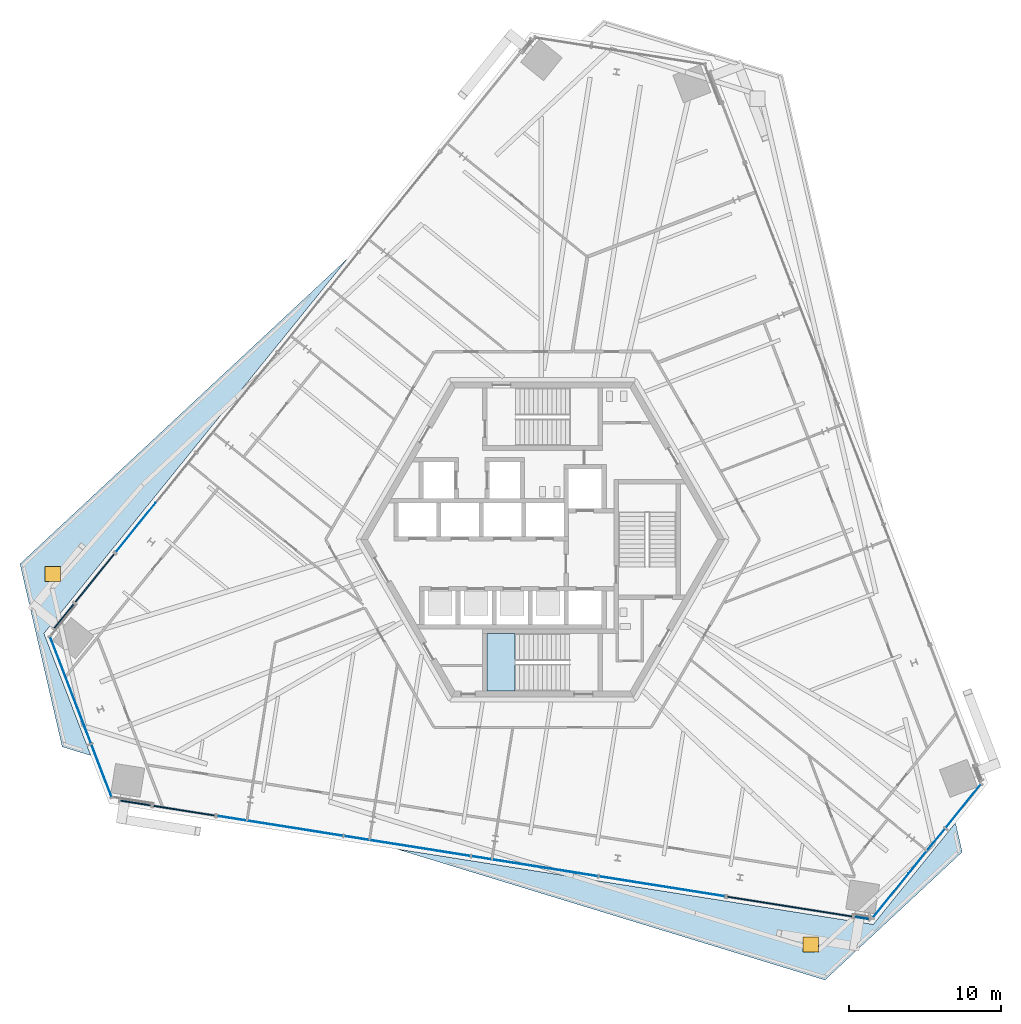
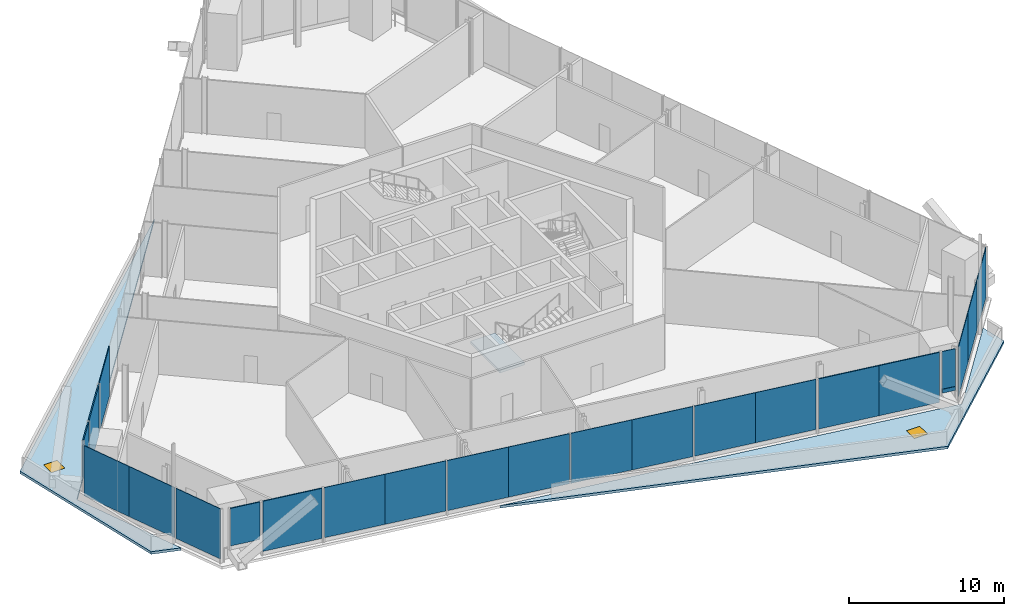
# One storey, part 9 of 22: 22 plates, 3 slabs, 2 doors, 1 member, 2 openings, 11 elements without a shape of their own.
"""IFC4 building model written with IfcOpenShell, lengths in metres."""

from ifc_helpers import new_model, si_unit, direction, frame, origin, origin_2d, place, context, subcontext, project, spatial, polyline, rectangle, outline, extrude, source, transform, mapped, material, layer, layer_set, material_profile, profile_set, type_object, element, fill, aggregate, save


model = new_model("IFC4")

# Units and contexts
model_context = context("Model", 3, precision=1e-05, world=origin(), true_north=direction((0.0, 1.0)))
body_context = subcontext(model_context, "Body", "Model", "MODEL_VIEW")
ifc_project = project(units=[si_unit("LENGTHUNIT", "METRE"), si_unit("AREAUNIT", "SQUARE_METRE"), si_unit("VOLUMEUNIT", "CUBIC_METRE"), si_unit("PLANEANGLEUNIT", "RADIAN"), si_unit("MASSUNIT", "GRAM", prefix="KILO")], contexts=[model_context])

# Site, building, storey
site_placement = place(None, origin())
site = spatial("IfcSite", under=ifc_project, at=site_placement, CompositionType="ELEMENT")
building_placement = place(site_placement, origin())
building = spatial("IfcBuilding", under=site, at=building_placement, Name="Triune Harvest Tower", CompositionType="ELEMENT")
storey_placement = place(building_placement, frame((0.0, 0.0, 138.10009765625)))
storey = spatial("IfcBuildingStorey", under=building, at=storey_placement, Name="L35", CompositionType="ELEMENT", Elevation=138.10009765625)

# Curtain wall, member
ifc_material_1 = material(Name="Aluminium bronze anodised", Category="aluminium")
curtain_wall_type_1 = type_object("IfcCurtainWallType", Name="CW-4 Sky lobby tall glazing wall", PredefinedType="NOTDEFINED", material=ifc_material_1)
curtain_wall_1_placement = place(storey_placement, origin())
curtain_wall_1 = element("IfcCurtainWall", 1, at=curtain_wall_1_placement, inside=storey, type_object=curtain_wall_type_1, Name="CW-4 B4-F5 L35 run 201")
ifc_material_2 = material(Name="Aluminium bronze anodised", Category="aluminium")
ifc_material_profile = material_profile(ifc_material_2, rectangle(XDim=0.10009765625, YDim=0.300048828125, at=origin_2d()), Name="TR-4 transom 100 x 300")
ifc_profile_set = profile_set([ifc_material_profile], Name="Aluminium bronze anodised")
member_type = type_object("IfcMemberType", Name="TR-4 transom 100 x 300", PredefinedType="USERDEFINED", material=ifc_profile_set)
shared_shape_1 = source(origin(), body_context, "Body", "SweptSolid", [
    extrude(rectangle(XDim=0.10009765625, YDim=0.300048828125, at=origin_2d()), origin(), (0.0, 0.0, 1.0), 0.916748046875),
])
member_placement = place(storey_placement, frame((20.591796875, -24.878173828125, 1.135009765625), z_axis=(0.987665614188, -0.156577886531, 0.0), x_axis=(0.156577886531, 0.987665614188, 0.0)))
member = element("IfcMember", 2, at=member_placement, type_object=member_type, Name="CW-4 transom B4-F5 201.1", ObjectType="TRANSOM", PredefinedType="USERDEFINED", context=body_context, shape_type="MappedRepresentation", body=[
    mapped(shared_shape_1, transform((0.0, 0.0, 0.0), scale=1.0)),
])

# Slab, opening, door
ifc_material_3 = material(Name="Concrete 40 MPa", Category="concrete")
ifc_layer_1 = layer(ifc_material_3, 0.199951171875)
ifc_layer_set_1 = layer_set([ifc_layer_1], Name="Concrete 40 MPa")
slab_type_1 = type_object("IfcSlabType", Name="WR-2 Wedge roof slab 200", PredefinedType="ROOF", material=ifc_layer_set_1)
slab_1_placement = place(storey_placement, frame((0.0, 0.0, -0.2001953125)))
slab_1 = element("IfcSlab", 3, at=slab_1_placement, inside=storey, type_object=slab_type_1, Name="Wedge roof slab L34 2", PredefinedType="ROOF", context=body_context, shape_type="SweptSolid", body=[
    extrude(outline(polyline([(27.666748046875, -20.59765625), (27.22314453125, -18.675537109375), (21.79931640625, -25.37353515625), (-9.66015625, -20.390869140625), (18.617431640625, -29.0361328125), (27.666748046875, -20.59765625)])), origin(), (0.0, 0.0, 1.0), 0.2001953125),
])
opening_1_placement = place(slab_1_placement, frame((17.68017578125, -26.69921875, 0.0)))
opening_1 = element("IfcOpeningElement", 4, at=opening_1_placement, cuts=slab_1, Name="Opening RH-L34.1", PredefinedType="OPENING", context=body_context, shape_type="SweptSolid", body=[
    extrude(rectangle(XDim=1.0, YDim=1.0, at=origin_2d()), origin(), (0.0, 0.0, 1.0), 0.2001953125),
])
ifc_material_4 = material(Name="Aluminium bronze anodised", Category="aluminium")
door_type = type_object("IfcDoorType", Name="RH-1 roof hatch 1000 x 1000", OperationType="SINGLE_SWING_LEFT", PredefinedType="TRAPDOOR", material=ifc_material_4)
door_1_placement = place(opening_1_placement, frame((0.0, 0.0, 0.150146484375)))
door_1 = element("IfcDoor", 5, at=door_1_placement, inside=storey, type_object=door_type, Name="Roof hatch L34.1", OperationType="SINGLE_SWING_LEFT", OverallHeight=1.0, OverallWidth=1.0, PredefinedType="TRAPDOOR", context=body_context, shape_type="SweptSolid", body=[
    extrude(rectangle(XDim=1.0, YDim=1.0, at=origin_2d()), origin(), (0.0, 0.0, 1.0), 0.050048828125),
])
fill(opening_1, door_1)

slab_2_placement = place(storey_placement, frame((0.0, 0.0, -0.2001953125)))
slab_2 = element("IfcSlab", 6, at=slab_2_placement, inside=storey, type_object=slab_type_1, Name="Wedge roof slab L34 3", PredefinedType="ROOF", context=body_context, shape_type="SweptSolid", body=[
    extrude(outline(polyline([(-31.67138671875, -13.661376953125), (-29.78515625, -14.238037109375), (-32.873779296875, -6.19189453125), (-12.828857421875, 18.5615234375), (-34.454833984375, -1.60498046875), (-31.67138671875, -13.661376953125)])), origin(), (0.0, 0.0, 1.0), 0.2001953125),
])
opening_2_placement = place(slab_2_placement, frame((-32.291015625, -2.259521484375, 0.0)))
opening_2 = element("IfcOpeningElement", 7, at=opening_2_placement, cuts=slab_2, Name="Opening RH-L34.3", PredefinedType="OPENING", context=body_context, shape_type="SweptSolid", body=[
    extrude(rectangle(XDim=1.0, YDim=1.0, at=origin_2d()), origin(), (0.0, 0.0, 1.0), 0.2001953125),
])
door_2_placement = place(opening_2_placement, frame((0.0, 0.0, 0.150146484375)))
door_2 = element("IfcDoor", 8, at=door_2_placement, inside=storey, type_object=door_type, Name="Roof hatch L34.3", OperationType="SINGLE_SWING_LEFT", OverallHeight=1.0, OverallWidth=1.0, PredefinedType="TRAPDOOR", context=body_context, shape_type="SweptSolid", body=[
    extrude(rectangle(XDim=1.0, YDim=1.0, at=origin_2d()), origin(), (0.0, 0.0, 1.0), 0.050048828125),
])
fill(opening_2, door_2)

# Stair, slab
ifc_material_5 = material(Name="Concrete 40 MPa", Category="concrete")
stair_type = type_object("IfcStairType", Name="Exit stair 1800 half turn", PredefinedType="HALF_TURN_STAIR", material=ifc_material_5)
stair_placement = place(storey_placement, origin())
stair = element("IfcStair", 9, at=stair_placement, inside=storey, type_object=stair_type, Name="Exit stair south", PredefinedType="HALF_TURN_STAIR")
ifc_material_6 = material(Name="Concrete 40 MPa", Category="concrete")
ifc_layer_2 = layer(ifc_material_6, 0.199951171875)
ifc_layer_set_2 = layer_set([ifc_layer_2], Name="Concrete 40 MPa")
slab_type_2 = type_object("IfcSlabType", Name="Stair landing 200", PredefinedType="LANDING", material=ifc_layer_set_2)
shared_shape_2 = source(origin(), body_context, "Body", "SweptSolid", [
    extrude(outline(polyline([(-1.81005859375, -6.18994140625), (-3.64990234375, -6.18994140625), (-3.64990234375, -9.989990234375), (-1.81005859375, -9.989990234375), (-1.81005859375, -6.18994140625)])), origin(), (0.0, 0.0, 1.0), 0.199951171875),
])
slab_3_placement = place(storey_placement, frame((0.0, 0.0, 2.0)))
slab_3 = element("IfcSlab", 10, at=slab_3_placement, type_object=slab_type_2, Name="ST-2 landing 2", PredefinedType="LANDING", context=body_context, shape_type="MappedRepresentation", body=[
    mapped(shared_shape_2, transform((0.0, 0.0, 0.0), scale=1.0)),
])
aggregate(stair, [slab_3])

# Plate
ifc_material_7 = material(Name="Glass", Category="glass")
ifc_layer_3 = layer(ifc_material_7, 0.0439453125)
ifc_layer_set_3 = layer_set([ifc_layer_3], Name="Glass")
plate_type_1 = type_object("IfcPlateType", Name="GL-4 panel 44", PredefinedType="CURTAIN_PANEL", material=ifc_layer_set_3)
shared_shape_3 = source(origin(), body_context, "Body", "SweptSolid", [
    extrude(rectangle(XDim=0.916748046875, YDim=0.0439453125, at=origin_2d()), origin(), (0.0, 0.0, 1.0), 2.955078125),
])
plate_1_placement = place(storey_placement, frame((21.04443359375, -24.949951171875, 1.284912109375), z_axis=(0.0, 0.0, 1.0), x_axis=(0.987685222103, -0.156454153156, 0.0)))
plate_1 = element("IfcPlate", 11, at=plate_1_placement, type_object=plate_type_1, Name="CW-4 panel B4-F5 201.1", PredefinedType="CURTAIN_PANEL", context=body_context, shape_type="MappedRepresentation", body=[
    mapped(shared_shape_3, transform((0.0, 0.0, 0.0), scale=1.0)),
])

aggregate(curtain_wall_1, [member, plate_1])

# Curtain wall, plates
ifc_material_8 = material(Name="Aluminium bronze anodised", Category="aluminium")
curtain_wall_type_2 = type_object("IfcCurtainWallType", Name="CW-9 Sky lobby tall glazing wall with insulated spandrel infill", PredefinedType="NOTDEFINED", material=ifc_material_8)
curtain_wall_2_placement = place(storey_placement, origin())
curtain_wall_2 = element("IfcCurtainWall", 12, at=curtain_wall_2_placement, inside=storey, type_object=curtain_wall_type_2, Name="CW-9 B4-F5 L35 run 2101")
ifc_material_9 = material(Name="Insulated spandrel panel, bronze aluminium pan", Category="aluminium")
ifc_layer_4 = layer(ifc_material_9, 0.080078125)
ifc_layer_set_4 = layer_set([ifc_layer_4], Name="Insulated spandrel panel, bronze aluminium pan")
plate_type_2 = type_object("IfcPlateType", Name="SP-1 insulated spandrel panel 80", PredefinedType="CURTAIN_PANEL", material=ifc_layer_set_4)
shared_shape_4 = source(origin(), body_context, "Body", "SweptSolid", [
    extrude(rectangle(XDim=4.166015625, YDim=0.080078125, at=origin_2d()), origin(), (0.0, 0.0, 1.0), 3.93994140625),
])
plate_2_placement = place(storey_placement, frame((14.24169921875, -23.87255859375, 0.300048828125), z_axis=(0.0, 0.0, 1.0), x_axis=(0.987688364982, -0.156434311067, 0.0)))
plate_2 = element("IfcPlate", 13, at=plate_2_placement, type_object=plate_type_2, Name="CW-9 panel B4-F5 2101.1", PredefinedType="CURTAIN_PANEL", context=body_context, shape_type="MappedRepresentation", body=[
    mapped(shared_shape_4, transform((0.0, 0.0, 0.0), scale=1.0)),
])
plate_3_placement = place(storey_placement, frame((18.3564453125, -24.524169921875, 0.300048828125), z_axis=(0.0, 0.0, 1.0), x_axis=(0.987688364982, -0.156434311067, 0.0)))
plate_3 = element("IfcPlate", 14, at=plate_3_placement, type_object=plate_type_2, Name="CW-9 panel B4-F5 2101.2", PredefinedType="CURTAIN_PANEL", context=body_context, shape_type="MappedRepresentation", body=[
    mapped(shared_shape_4, transform((0.0, 0.0, 0.0), scale=1.0)),
])
aggregate(curtain_wall_2, [plate_2, plate_3])

# Curtain wall, plate
curtain_wall_3_placement = place(storey_placement, origin())
curtain_wall_3 = element("IfcCurtainWall", 15, at=curtain_wall_3_placement, inside=storey, type_object=curtain_wall_type_1, Name="CW-4 B4-F3 L35 run 1101")
shared_shape_5 = source(origin(), body_context, "Body", "SweptSolid", [
    extrude(rectangle(XDim=4.166015625, YDim=0.0439453125, at=origin_2d()), origin(), (0.0, 0.0, 1.0), 3.93994140625),
])
plate_4_placement = place(storey_placement, frame((-26.81787109375, 0.8095703125, 0.300048828125), z_axis=(0.0, 0.0, 1.0), x_axis=(-0.629321573361, -0.777145004039, 0.0)))
plate_4 = element("IfcPlate", 16, at=plate_4_placement, type_object=plate_type_1, Name="CW-4 panel B4-F3 1101.8", PredefinedType="CURTAIN_PANEL", context=body_context, shape_type="MappedRepresentation", body=[
    mapped(shared_shape_5, transform((0.0, 0.0, 0.0), scale=1.0)),
])
aggregate(curtain_wall_3, [plate_4])

# Curtain wall, plates
curtain_wall_4_placement = place(storey_placement, origin())
curtain_wall_4 = element("IfcCurtainWall", 17, at=curtain_wall_4_placement, inside=storey, type_object=curtain_wall_type_1, Name="CW-4 B4-F5 L35 run 1101")
plate_5_placement = place(storey_placement, frame((-19.3876953125, -18.546142578125, 0.300048828125), z_axis=(0.0, 0.0, 1.0), x_axis=(0.98768829311, -0.156434764851, 0.0)))
plate_5 = element("IfcPlate", 18, at=plate_5_placement, type_object=plate_type_1, Name="CW-4 panel B4-F5 1101.1", PredefinedType="CURTAIN_PANEL", context=body_context, shape_type="MappedRepresentation", body=[
    mapped(shared_shape_5, transform((0.0, 0.0, 0.0), scale=1.0)),
])
plate_6_placement = place(storey_placement, frame((9.94921875, -23.192626953125, 0.300048828125), z_axis=(0.0, 0.0, 1.0), x_axis=(0.98768829311, -0.156434764851, 0.0)))
plate_6 = element("IfcPlate", 19, at=plate_6_placement, type_object=plate_type_1, Name="CW-4 panel B4-F5 1101.8", PredefinedType="CURTAIN_PANEL", context=body_context, shape_type="MappedRepresentation", body=[
    mapped(shared_shape_5, transform((0.0, 0.0, 0.0), scale=1.0)),
])
shared_shape_6 = source(origin(), body_context, "Body", "SweptSolid", [
    extrude(rectangle(XDim=4.211181640625, YDim=0.0439453125, at=origin_2d()), origin(), (0.0, 0.0, 1.0), 3.93994140625),
])
plate_7_placement = place(storey_placement, frame((-15.250732421875, -19.201171875, 0.300048828125), z_axis=(0.0, 0.0, 1.0), x_axis=(0.98768829311, -0.156434764851, 0.0)))
plate_7 = element("IfcPlate", 20, at=plate_7_placement, type_object=plate_type_1, Name="CW-4 panel B4-F5 1101.2", PredefinedType="CURTAIN_PANEL", context=body_context, shape_type="MappedRepresentation", body=[
    mapped(shared_shape_6, transform((0.0, 0.0, 0.0), scale=1.0)),
])
plate_8_placement = place(storey_placement, frame((-11.002685546875, -19.8740234375, 0.300048828125), z_axis=(0.0, 0.0, 1.0), x_axis=(0.98768829311, -0.156434764851, 0.0)))
plate_8 = element("IfcPlate", 21, at=plate_8_placement, type_object=plate_type_1, Name="CW-4 panel B4-F5 1101.3", PredefinedType="CURTAIN_PANEL", context=body_context, shape_type="MappedRepresentation", body=[
    mapped(shared_shape_6, transform((0.0, 0.0, 0.0), scale=1.0)),
])
plate_9_placement = place(storey_placement, frame((-6.843505859375, -20.532958984375, 0.300048828125), z_axis=(0.0, 0.0, 1.0), x_axis=(0.98768829311, -0.156434764851, 0.0)))
plate_9 = element("IfcPlate", 22, at=plate_9_placement, type_object=plate_type_1, Name="CW-4 panel B4-F5 1101.4", PredefinedType="CURTAIN_PANEL", context=body_context, shape_type="MappedRepresentation", body=[
    mapped(shared_shape_6, transform((0.0, 0.0, 0.0), scale=1.0)),
])
plate_10_placement = place(storey_placement, frame((-2.59521484375, -21.205810546875, 0.300048828125), z_axis=(0.0, 0.0, 1.0), x_axis=(0.98768829311, -0.156434764851, 0.0)))
plate_10 = element("IfcPlate", 23, at=plate_10_placement, type_object=plate_type_1, Name="CW-4 panel B4-F5 1101.5", PredefinedType="CURTAIN_PANEL", context=body_context, shape_type="MappedRepresentation", body=[
    mapped(shared_shape_6, transform((0.0, 0.0, 0.0), scale=1.0)),
])
plate_11_placement = place(storey_placement, frame((1.56396484375, -21.864501953125, 0.300048828125), z_axis=(0.0, 0.0, 1.0), x_axis=(0.98768829311, -0.156434764851, 0.0)))
plate_11 = element("IfcPlate", 24, at=plate_11_placement, type_object=plate_type_1, Name="CW-4 panel B4-F5 1101.6", PredefinedType="CURTAIN_PANEL", context=body_context, shape_type="MappedRepresentation", body=[
    mapped(shared_shape_6, transform((0.0, 0.0, 0.0), scale=1.0)),
])
plate_12_placement = place(storey_placement, frame((5.81201171875, -22.537353515625, 0.300048828125), z_axis=(0.0, 0.0, 1.0), x_axis=(0.98768829311, -0.156434764851, 0.0)))
plate_12 = element("IfcPlate", 25, at=plate_12_placement, type_object=plate_type_1, Name="CW-4 panel B4-F5 1101.7", PredefinedType="CURTAIN_PANEL", context=body_context, shape_type="MappedRepresentation", body=[
    mapped(shared_shape_6, transform((0.0, 0.0, 0.0), scale=1.0)),
])
aggregate(curtain_wall_4, [plate_5, plate_7, plate_8, plate_9, plate_10, plate_11, plate_12, plate_6])

# Curtain wall, plate
curtain_wall_5_placement = place(storey_placement, origin())
curtain_wall_5 = element("IfcCurtainWall", 26, at=curtain_wall_5_placement, inside=storey, type_object=curtain_wall_type_2, Name="CW-9 B4-F3 L35 run 2101")
shared_shape_7 = source(origin(), body_context, "Body", "SweptSolid", [
    extrude(rectangle(XDim=4.076171875, YDim=0.080078125, at=origin_2d()), origin(), (0.0, 0.0, 1.0), 3.93994140625),
])
plate_13_placement = place(storey_placement, frame((-29.5244140625, -2.533203125, 0.300048828125), z_axis=(0.0, 0.0, 1.0), x_axis=(-0.629314478116, -0.777150749619, 0.0)))
plate_13 = element("IfcPlate", 27, at=plate_13_placement, type_object=plate_type_2, Name="CW-9 panel B4-F3 2101.1", PredefinedType="CURTAIN_PANEL", context=body_context, shape_type="MappedRepresentation", body=[
    mapped(shared_shape_7, transform((0.0, 0.0, 0.0), scale=1.0)),
])
aggregate(curtain_wall_5, [plate_13])

curtain_wall_6_placement = place(storey_placement, origin())
curtain_wall_6 = element("IfcCurtainWall", 28, at=curtain_wall_6_placement, inside=storey, type_object=curtain_wall_type_2, Name="CW-9 B4-F5 L35 run 101")
plate_14_placement = place(storey_placement, frame((-23.635986328125, -17.873291015625, 0.300048828125), z_axis=(0.0, 0.0, 1.0), x_axis=(0.987688364982, -0.156434311067, 0.0)))
plate_14 = element("IfcPlate", 29, at=plate_14_placement, type_object=plate_type_2, Name="CW-9 panel B4-F5 101.1", PredefinedType="CURTAIN_PANEL", context=body_context, shape_type="MappedRepresentation", body=[
    mapped(shared_shape_7, transform((0.0, 0.0, 0.0), scale=1.0)),
])
aggregate(curtain_wall_6, [plate_14])

curtain_wall_7_placement = place(storey_placement, origin())
curtain_wall_7 = element("IfcCurtainWall", 30, at=curtain_wall_7_placement, inside=storey, type_object=curtain_wall_type_1, Name="CW-4 B4-F4 L35 run 1")
shared_shape_8 = source(origin(), body_context, "Body", "SweptSolid", [
    extrude(rectangle(XDim=3.734619140625, YDim=0.0439453125, at=origin_2d()), origin(), (0.0, 0.0, 1.0), 3.93994140625),
])
plate_15_placement = place(storey_placement, frame((-31.797607421875, -8.157470703125, 0.300048828125), z_axis=(0.0, 0.0, 1.0), x_axis=(0.358368910177, -0.933580057745, 0.0)))
plate_15 = element("IfcPlate", 31, at=plate_15_placement, type_object=plate_type_1, Name="CW-4 panel B4-F4 1.1", PredefinedType="CURTAIN_PANEL", context=body_context, shape_type="MappedRepresentation", body=[
    mapped(shared_shape_8, transform((0.0, 0.0, 0.0), scale=1.0)),
])

curtain_wall_8_placement = place(storey_placement, origin())
curtain_wall_8 = element("IfcCurtainWall", 32, at=curtain_wall_8_placement, inside=storey, type_object=curtain_wall_type_1, Name="CW-4 B4-F6 L35 run 1")
plate_16_placement = place(storey_placement, frame((22.96337890625, -23.458740234375, 0.300048828125), z_axis=(0.0, 0.0, 1.0), x_axis=(0.629320905414, 0.777145544932, 0.0)))
plate_16 = element("IfcPlate", 33, at=plate_16_placement, type_object=plate_type_1, Name="CW-4 panel B4-F6 1.1", PredefinedType="CURTAIN_PANEL", context=body_context, shape_type="MappedRepresentation", body=[
    mapped(shared_shape_8, transform((0.0, 0.0, 0.0), scale=1.0)),
])

# Plate
shared_shape_9 = source(origin(), body_context, "Body", "SweptSolid", [
    extrude(rectangle(XDim=3.779541015625, YDim=0.0439453125, at=origin_2d()), origin(), (0.0, 0.0, 1.0), 3.93994140625),
])
plate_17_placement = place(storey_placement, frame((-30.451171875, -11.6650390625, 0.300048828125), z_axis=(0.0, 0.0, 1.0), x_axis=(0.358368910177, -0.933580057745, 0.0)))
plate_17 = element("IfcPlate", 34, at=plate_17_placement, type_object=plate_type_1, Name="CW-4 panel B4-F4 1.2", PredefinedType="CURTAIN_PANEL", context=body_context, shape_type="MappedRepresentation", body=[
    mapped(shared_shape_9, transform((0.0, 0.0, 0.0), scale=1.0)),
])

plate_18_placement = place(storey_placement, frame((25.327880859375, -20.5390625, 0.300048828125), z_axis=(0.0, 0.0, 1.0), x_axis=(0.629320905414, 0.777145544932, 0.0)))
plate_18 = element("IfcPlate", 35, at=plate_18_placement, type_object=plate_type_1, Name="CW-4 panel B4-F6 1.2", PredefinedType="CURTAIN_PANEL", context=body_context, shape_type="MappedRepresentation", body=[
    mapped(shared_shape_9, transform((0.0, 0.0, 0.0), scale=1.0)),
])

shared_shape_10 = source(origin(), body_context, "Body", "SweptSolid", [
    extrude(rectangle(XDim=3.689453125, YDim=0.0439453125, at=origin_2d()), origin(), (0.0, 0.0, 1.0), 3.93994140625),
])
plate_19_placement = place(storey_placement, frame((-29.08056640625, -15.235595703125, 0.300048828125), z_axis=(0.0, 0.0, 1.0), x_axis=(0.358368910177, -0.933580057745, 0.0)))
plate_19 = element("IfcPlate", 36, at=plate_19_placement, type_object=plate_type_1, Name="CW-4 panel B4-F4 1.3", PredefinedType="CURTAIN_PANEL", context=body_context, shape_type="MappedRepresentation", body=[
    mapped(shared_shape_10, transform((0.0, 0.0, 0.0), scale=1.0)),
])

aggregate(curtain_wall_7, [plate_15, plate_17, plate_19])

plate_20_placement = place(storey_placement, frame((27.734619140625, -17.566650390625, 0.300048828125), z_axis=(0.0, 0.0, 1.0), x_axis=(0.629320905414, 0.777145544932, 0.0)))
plate_20 = element("IfcPlate", 37, at=plate_20_placement, type_object=plate_type_1, Name="CW-4 panel B4-F6 1.3", PredefinedType="CURTAIN_PANEL", context=body_context, shape_type="MappedRepresentation", body=[
    mapped(shared_shape_10, transform((0.0, 0.0, 0.0), scale=1.0)),
])

aggregate(curtain_wall_8, [plate_16, plate_18, plate_20])

# Curtain wall, plate
curtain_wall_9_placement = place(storey_placement, origin())
curtain_wall_9 = element("IfcCurtainWall", 38, at=curtain_wall_9_placement, inside=storey, type_object=curtain_wall_type_2, Name="CW-9 B4-F3 L35 run 201")
shared_shape_11 = source(origin(), body_context, "Body", "SweptSolid", [
    extrude(rectangle(XDim=2.052978515625, YDim=0.080078125, at=origin_2d()), origin(), (0.0, 0.0, 1.0), 2.955078125),
])
plate_21_placement = place(storey_placement, frame((-31.56640625, -5.0546875, 1.284912109375), z_axis=(0.0, 0.0, 1.0), x_axis=(-0.629320604394, -0.777145788694, 0.0)))
plate_21 = element("IfcPlate", 39, at=plate_21_placement, type_object=plate_type_2, Name="CW-9 panel B4-F3 201.1", PredefinedType="CURTAIN_PANEL", context=body_context, shape_type="MappedRepresentation", body=[
    mapped(shared_shape_11, transform((0.0, 0.0, 0.0), scale=1.0)),
])
aggregate(curtain_wall_9, [plate_21])

curtain_wall_10_placement = place(storey_placement, origin())
curtain_wall_10 = element("IfcCurtainWall", 40, at=curtain_wall_10_placement, inside=storey, type_object=curtain_wall_type_2, Name="CW-9 B4-F5 L35 run 1")
plate_22_placement = place(storey_placement, frame((-26.840576171875, -17.36572265625, 1.284912109375), z_axis=(0.0, 0.0, 1.0), x_axis=(0.987689508771, -0.156427089288, 0.0)))
plate_22 = element("IfcPlate", 41, at=plate_22_placement, type_object=plate_type_2, Name="CW-9 panel B4-F5 1.1", PredefinedType="CURTAIN_PANEL", context=body_context, shape_type="MappedRepresentation", body=[
    mapped(shared_shape_11, transform((0.0, 0.0, 0.0), scale=1.0)),
])
aggregate(curtain_wall_10, [plate_22])

save(model, "model.ifc")
